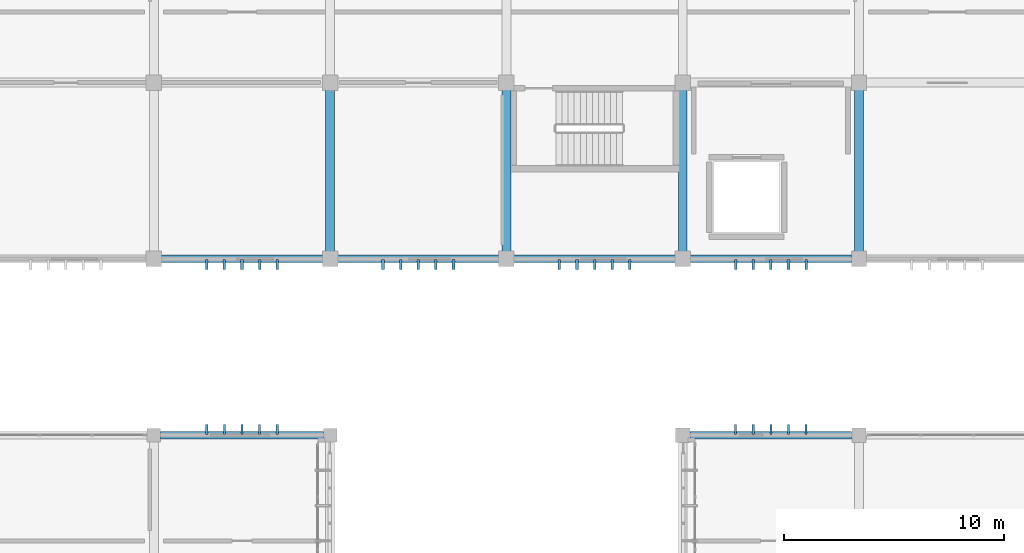
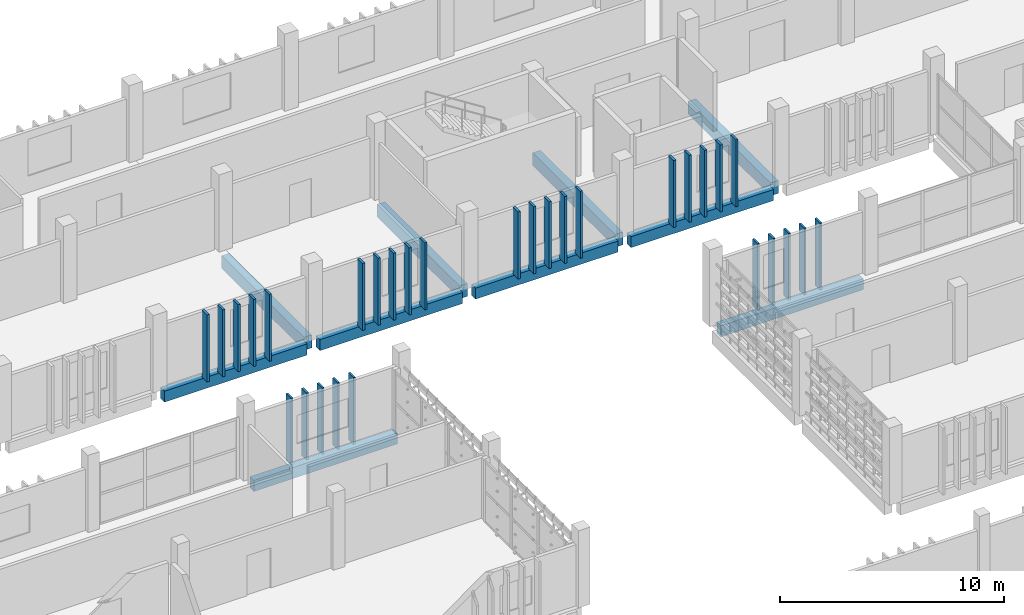
# One storey, part 34 of 83: 30 members, 10 beams.
"""IFC4 building model written with IfcOpenShell, lengths in metres."""

from ifc_helpers import new_model, si_unit, direction, frame, origin, origin_2d, place, context, subcontext, project, spatial, rectangle, extrude, material, material_profile, profile_set, type_object, element, save


model = new_model("IFC4")

# Units and contexts
model_context = context("Model", 3, precision=1e-05, world=origin(), true_north=direction((0.0, 1.0)))
body_context = subcontext(model_context, "Body", "Model", "MODEL_VIEW")
ifc_project = project(units=[si_unit("LENGTHUNIT", "METRE"), si_unit("AREAUNIT", "SQUARE_METRE"), si_unit("VOLUMEUNIT", "CUBIC_METRE"), si_unit("PLANEANGLEUNIT", "RADIAN"), si_unit("MASSUNIT", "GRAM", prefix="KILO")], contexts=[model_context])

# Site, building, storey
site_placement = place(None, origin())
site = spatial("IfcSite", under=ifc_project, at=site_placement, CompositionType="ELEMENT")
building_placement = place(site_placement, origin())
building = spatial("IfcBuilding", under=site, at=building_placement, Name="Jelvoka-Kovrelna Polytechnic", CompositionType="ELEMENT")
storey_placement = place(building_placement, frame((0.0, 0.0, 13.800048828125)))
storey = spatial("IfcBuildingStorey", under=building, at=storey_placement, Name="L04", CompositionType="ELEMENT", Elevation=13.800048828125)

# Beams
ifc_material_1 = material(Name="Concrete C40/50", Category="concrete")
ifc_material_profile_1 = material_profile(ifc_material_1, rectangle(XDim=0.39990234375, YDim=0.699951171875, at=origin_2d()), Name="RC 400x700")
ifc_profile_set_1 = profile_set([ifc_material_profile_1], Name="Concrete C40/50")
beam_type_1 = type_object("IfcBeamType", Name="Beam_RC_400x700", PredefinedType="BEAM", material=ifc_profile_set_1)
for number, where, z_axis, x_axis, name in (
    (1, (112.0, 56.330078125, -0.60009765625), (0.0, 1.0, 0.0), (-1.0, 0.0, 0.0), "L04 beam 1292"),
    (2, (120.0, 56.330078125, -0.60009765625), (0.0, 1.0, 0.0), (-1.0, 0.0, 0.0), "L04 beam 1322"),
    (3, (128.0, 56.330078125, -0.60009765625), (0.0, 1.0, 0.0), (-1.0, 0.0, 0.0), "L04 beam 1324"),
    (4, (136.0, 56.330078125, -0.60009765625), (0.0, 1.0, 0.0), (-1.0, 0.0, 0.0), "L04 beam 1326"),
):
    element("IfcBeam", number, at=place(storey_placement, frame(where, z_axis=z_axis, x_axis=x_axis)), inside=storey, type_object=beam_type_1, Name=name, PredefinedType="BEAM", context=body_context, shape_type="SweptSolid", body=[
        extrude(rectangle(XDim=0.39990234375, YDim=0.699951171875, at=origin_2d()), origin(), (0.0, 0.0, 1.0), 7.33984375),
    ])

# Members
ifc_material_2 = material(Name="Precast concrete C40/50", Category="concrete")
ifc_material_profile_2 = material_profile(ifc_material_2, rectangle(XDim=0.10009765625, YDim=0.449951171875, at=origin_2d()), Name="PC 100x450")
ifc_profile_set_2 = profile_set([ifc_material_profile_2], Name="Precast concrete C40/50")
member_type_1 = type_object("IfcMemberType", Name="Louvre_Fin_100x450", PredefinedType="USERDEFINED", material=ifc_profile_set_2)
for number, where, z_axis, x_axis, name in (
    (5, (106.39990234375, 48.264892578125, -0.27001953125), (0.0, 0.0, 1.0), (1.0, 0.0, 0.0), "L04 B2W north vertical solar louvre fin 0746"),
    (6, (107.199951171875, 48.264892578125, -0.27001953125), (0.0, 0.0, 1.0), (1.0, 0.0, 0.0), "L04 B2W north vertical solar louvre fin 0747"),
    (7, (108.0, 48.264892578125, -0.27001953125), (0.0, 0.0, 1.0), (1.0, 0.0, 0.0), "L04 B2W north vertical solar louvre fin 0748"),
    (8, (108.800048828125, 48.264892578125, -0.27001953125), (0.0, 0.0, 1.0), (1.0, 0.0, 0.0), "L04 B2W north vertical solar louvre fin 0749"),
    (9, (109.60009765625, 48.264892578125, -0.27001953125), (0.0, 0.0, 1.0), (1.0, 0.0, 0.0), "L04 B2W north vertical solar louvre fin 0750"),
    (10, (130.39990234375, 48.264892578125, -0.27001953125), (0.0, 0.0, 1.0), (1.0, 0.0, 0.0), "L04 B2E north vertical solar louvre fin 0976"),
    (11, (131.199951171875, 48.264892578125, -0.27001953125), (0.0, 0.0, 1.0), (1.0, 0.0, 0.0), "L04 B2E north vertical solar louvre fin 0977"),
    (12, (132.0, 48.264892578125, -0.27001953125), (0.0, 0.0, 1.0), (1.0, 0.0, 0.0), "L04 B2E north vertical solar louvre fin 0978"),
    (13, (132.800048828125, 48.264892578125, -0.27001953125), (0.0, 0.0, 1.0), (1.0, 0.0, 0.0), "L04 B2E north vertical solar louvre fin 0979"),
    (14, (133.60009765625, 48.264892578125, -0.27001953125), (0.0, 0.0, 1.0), (1.0, 0.0, 0.0), "L04 B2E north vertical solar louvre fin 0980"),
):
    element("IfcMember", number, at=place(storey_placement, frame(where, z_axis=z_axis, x_axis=x_axis)), inside=storey, type_object=member_type_1, Name=name, ObjectType="SUNSHADE", PredefinedType="USERDEFINED", context=body_context, shape_type="SweptSolid", body=[
        extrude(rectangle(XDim=0.10009765625, YDim=0.449951171875, at=origin_2d()), origin(), (0.0, 0.0, 1.0), 3.64501953125),
    ])
ifc_material_3 = material(Name="Precast concrete C40/50", Category="concrete")
ifc_material_profile_3 = material_profile(ifc_material_3, rectangle(XDim=0.1201171875, YDim=0.449951171875, at=origin_2d()), Name="PC 120x450")
ifc_profile_set_3 = profile_set([ifc_material_profile_3], Name="Precast concrete C40/50")
member_type_2 = type_object("IfcMemberType", Name="Louvre_Fin_120x450", PredefinedType="USERDEFINED", material=ifc_profile_set_3)
for number, where, z_axis, x_axis, name in (
    (15, (106.39990234375, 55.735107421875, -0.27001953125), (0.0, 0.0, 1.0), (1.0, 0.0, 0.0), "L04 B3 south vertical solar louvre fin 1676"),
    (16, (107.199951171875, 55.735107421875, -0.27001953125), (0.0, 0.0, 1.0), (1.0, 0.0, 0.0), "L04 B3 south vertical solar louvre fin 1677"),
    (17, (108.0, 55.735107421875, -0.27001953125), (0.0, 0.0, 1.0), (1.0, 0.0, 0.0), "L04 B3 south vertical solar louvre fin 1678"),
    (18, (108.800048828125, 55.735107421875, -0.27001953125), (0.0, 0.0, 1.0), (1.0, 0.0, 0.0), "L04 B3 south vertical solar louvre fin 1679"),
    (19, (109.60009765625, 55.735107421875, -0.27001953125), (0.0, 0.0, 1.0), (1.0, 0.0, 0.0), "L04 B3 south vertical solar louvre fin 1680"),
    (20, (114.39990234375, 55.735107421875, -0.27001953125), (0.0, 0.0, 1.0), (1.0, 0.0, 0.0), "L04 B3 south vertical solar louvre fin 1686"),
    (21, (115.199951171875, 55.735107421875, -0.27001953125), (0.0, 0.0, 1.0), (1.0, 0.0, 0.0), "L04 B3 south vertical solar louvre fin 1687"),
    (22, (116.0, 55.735107421875, -0.27001953125), (0.0, 0.0, 1.0), (1.0, 0.0, 0.0), "L04 B3 south vertical solar louvre fin 1688"),
    (23, (116.800048828125, 55.735107421875, -0.27001953125), (0.0, 0.0, 1.0), (1.0, 0.0, 0.0), "L04 B3 south vertical solar louvre fin 1689"),
    (24, (117.60009765625, 55.735107421875, -0.27001953125), (0.0, 0.0, 1.0), (1.0, 0.0, 0.0), "L04 B3 south vertical solar louvre fin 1690"),
    (25, (122.39990234375, 55.735107421875, -0.27001953125), (0.0, 0.0, 1.0), (1.0, 0.0, 0.0), "L04 B3 south vertical solar louvre fin 1696"),
    (26, (123.199951171875, 55.735107421875, -0.27001953125), (0.0, 0.0, 1.0), (1.0, 0.0, 0.0), "L04 B3 south vertical solar louvre fin 1697"),
    (27, (124.0, 55.735107421875, -0.27001953125), (0.0, 0.0, 1.0), (1.0, 0.0, 0.0), "L04 B3 south vertical solar louvre fin 1698"),
    (28, (124.800048828125, 55.735107421875, -0.27001953125), (0.0, 0.0, 1.0), (1.0, 0.0, 0.0), "L04 B3 south vertical solar louvre fin 1699"),
    (29, (125.60009765625, 55.735107421875, -0.27001953125), (0.0, 0.0, 1.0), (1.0, 0.0, 0.0), "L04 B3 south vertical solar louvre fin 1700"),
    (30, (130.39990234375, 55.735107421875, -0.27001953125), (0.0, 0.0, 1.0), (1.0, 0.0, 0.0), "L04 B3 south vertical solar louvre fin 1706"),
    (31, (131.199951171875, 55.735107421875, -0.27001953125), (0.0, 0.0, 1.0), (1.0, 0.0, 0.0), "L04 B3 south vertical solar louvre fin 1707"),
    (32, (132.0, 55.735107421875, -0.27001953125), (0.0, 0.0, 1.0), (1.0, 0.0, 0.0), "L04 B3 south vertical solar louvre fin 1708"),
    (33, (132.800048828125, 55.735107421875, -0.27001953125), (0.0, 0.0, 1.0), (1.0, 0.0, 0.0), "L04 B3 south vertical solar louvre fin 1709"),
    (34, (133.60009765625, 55.735107421875, -0.27001953125), (0.0, 0.0, 1.0), (1.0, 0.0, 0.0), "L04 B3 south vertical solar louvre fin 1710"),
):
    element("IfcMember", number, at=place(storey_placement, frame(where, z_axis=z_axis, x_axis=x_axis)), inside=storey, type_object=member_type_2, Name=name, ObjectType="SUNSHADE", PredefinedType="USERDEFINED", context=body_context, shape_type="SweptSolid", body=[
        extrude(rectangle(XDim=0.1201171875, YDim=0.449951171875, at=origin_2d()), origin(), (0.0, 0.0, 1.0), 3.64501953125),
    ])

# Beams
ifc_material_4 = material(Name="Concrete C40/50", Category="concrete")
ifc_material_profile_4 = material_profile(ifc_material_4, rectangle(XDim=0.35009765625, YDim=0.60009765625, at=origin_2d()), Name="RC 350x600")
ifc_profile_set_4 = profile_set([ifc_material_profile_4], Name="Concrete C40/50")
beam_type_2 = type_object("IfcBeamType", Name="Spandrel_RC_350x600", PredefinedType="SPANDREL", material=ifc_profile_set_4)
beam_placement = place(storey_placement, frame((104.304931640625, 48.0, -0.550048828125), z_axis=(1.0, 0.0, 0.0), x_axis=(0.0, 1.0, 0.0)))
element("IfcBeam", 35, at=beam_placement, inside=storey, type_object=beam_type_2, Name="L04 beam 1195", PredefinedType="SPANDREL", context=body_context, shape_type="SweptSolid", body=[
    extrude(rectangle(XDim=0.35009765625, YDim=0.60009765625, at=origin_2d()), origin(), (0.0, 0.0, 1.0), 7.39013671875),
])
for number, where, z_axis, x_axis, name in (
    (36, (128.330078125, 48.0, -0.550048828125), (1.0, 0.0, 0.0), (0.0, 1.0, 0.0), "L04 beam 1229"),
    (37, (104.330078125, 56.0, -0.550048828125), (1.0, 0.0, 0.0), (0.0, 1.0, 0.0), "L04 beam 1264"),
    (38, (112.330078125, 56.0, -0.550048828125), (1.0, 0.0, 0.0), (0.0, 1.0, 0.0), "L04 beam 1294"),
    (39, (120.330078125, 56.0, -0.550048828125), (1.0, 0.0, 0.0), (0.0, 1.0, 0.0), "L04 beam 1295"),
    (40, (128.330078125, 56.0, -0.550048828125), (1.0, 0.0, 0.0), (0.0, 1.0, 0.0), "L04 beam 1296"),
):
    element("IfcBeam", number, at=place(storey_placement, frame(where, z_axis=z_axis, x_axis=x_axis)), inside=storey, type_object=beam_type_2, Name=name, PredefinedType="SPANDREL", context=body_context, shape_type="SweptSolid", body=[
        extrude(rectangle(XDim=0.35009765625, YDim=0.60009765625, at=origin_2d()), origin(), (0.0, 0.0, 1.0), 7.33984375),
    ])

save(model, "model.ifc")
